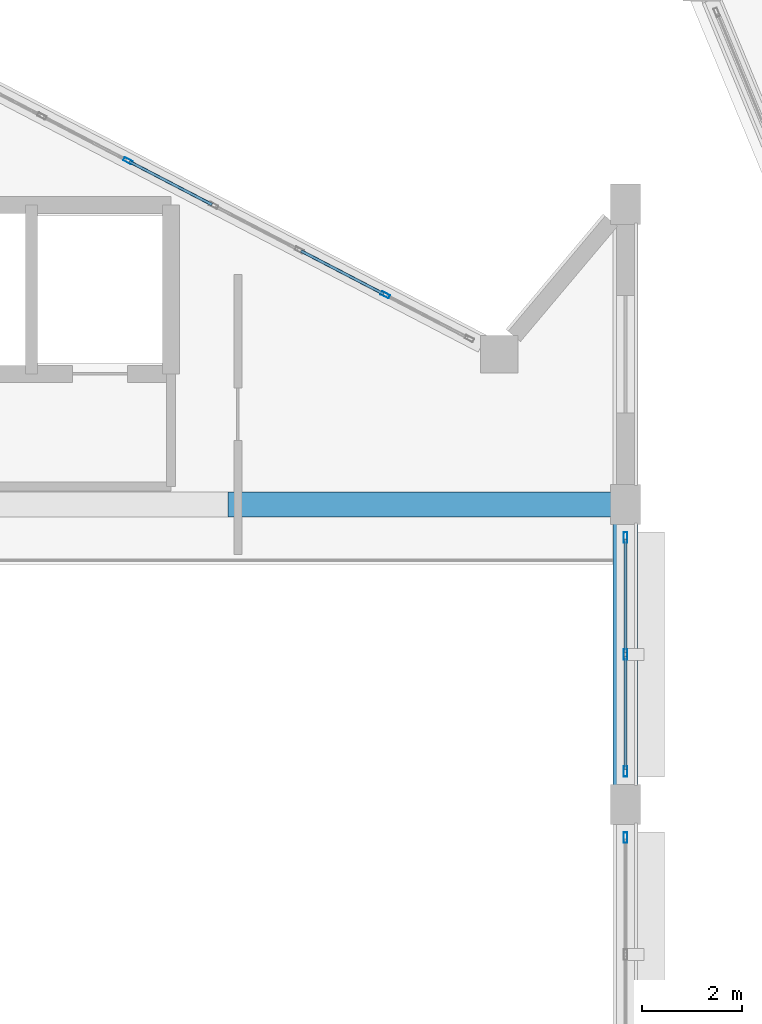
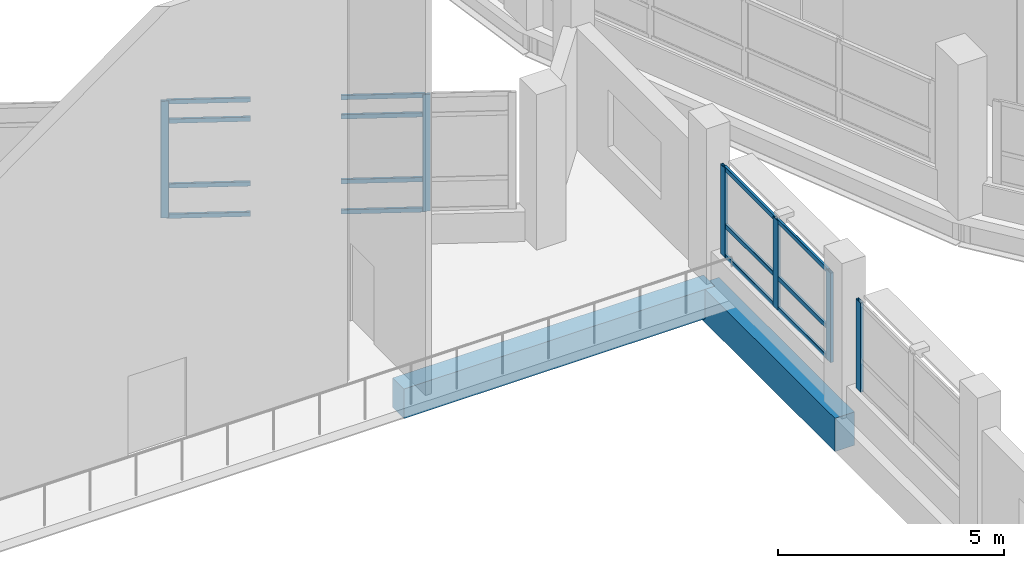
# One storey, part 26 of 128: 20 members, 2 beams, 3 elements without a shape of their own.
"""IFC4 building model written with IfcOpenShell, lengths in metres."""

from ifc_helpers import new_model, si_unit, direction, frame, origin, origin_2d, place, context, subcontext, project, spatial, rectangle, hollow_rectangle, extrude, material, layer, layer_set, material_profile, profile_set, type_object, element, aggregate, save


model = new_model("IFC4")

# Units and contexts
model_context = context("Model", 3, precision=1e-05, world=origin(), true_north=direction((0.0, 1.0)))
body_context = subcontext(model_context, "Body", "Model", "MODEL_VIEW")
ifc_project = project(units=[si_unit("LENGTHUNIT", "METRE"), si_unit("AREAUNIT", "SQUARE_METRE"), si_unit("VOLUMEUNIT", "CUBIC_METRE"), si_unit("PLANEANGLEUNIT", "RADIAN"), si_unit("MASSUNIT", "GRAM", prefix="KILO")], contexts=[model_context])

# Site, building, storey
site_placement = place(None, origin())
site = spatial("IfcSite", under=ifc_project, at=site_placement, CompositionType="ELEMENT")
building_placement = place(site_placement, origin())
building = spatial("IfcBuilding", under=site, at=building_placement, Name="Vespera Passage Community Centre", CompositionType="ELEMENT")
storey_placement = place(building_placement, frame((0.0, 0.0, 4.5)))
storey = spatial("IfcBuildingStorey", under=building, at=storey_placement, Name="L01", CompositionType="ELEMENT", Elevation=4.5)

# Beams
ifc_material_1 = material(Name="Concrete f'c 35 MPa", Category="concrete")
ifc_material_profile_1 = material_profile(ifc_material_1, rectangle(XDim=0.5, YDim=0.800048828125, at=origin_2d()), Name="RC500X800")
ifc_profile_set_1 = profile_set([ifc_material_profile_1], Name="Concrete f'c 35 MPa")
beam_type_1 = type_object("IfcBeamType", Name="BM-G-500X800", PredefinedType="BEAM", material=ifc_profile_set_1)
beam_1_placement = place(storey_placement, frame((24.0, 43.0, -0.639892578125), z_axis=(1.0, 0.0, 0.0), x_axis=(0.0, 1.0, 0.0)))
element("IfcBeam", 1, at=beam_1_placement, inside=storey, type_object=beam_type_1, Name="V1 L01 N Gallery Girder 3", PredefinedType="BEAM", context=body_context, shape_type="SweptSolid", body=[
    extrude(rectangle(XDim=0.5, YDim=0.800048828125, at=origin_2d()), origin(), (0.0, 0.0, 1.0), 7.949951171875),
])
ifc_material_2 = material(Name="Concrete f'c 45 MPa", Category="concrete")
ifc_material_profile_2 = material_profile(ifc_material_2, rectangle(XDim=0.5, YDim=0.89990234375, at=origin_2d()), Name="RC500X900")
ifc_profile_set_2 = profile_set([ifc_material_profile_2], Name="Concrete f'c 45 MPa")
beam_type_2 = type_object("IfcBeamType", Name="BM-SP-500X900E", PredefinedType="SPANDREL", material=ifc_profile_set_2)
beam_2_placement = place(storey_placement, frame((31.949951171875, 37.0, -0.68994140625), z_axis=(0.0, 1.0, 0.0), x_axis=(-1.0, 0.0, 0.0)))
element("IfcBeam", 2, at=beam_2_placement, inside=storey, type_object=beam_type_2, Name="V1 L01 Spandrel E6", PredefinedType="SPANDREL", context=body_context, shape_type="SweptSolid", body=[
    extrude(rectangle(XDim=0.5, YDim=0.89990234375, at=origin_2d()), origin(), (0.0, 0.0, 1.0), 6.0),
])

# Curtain wall, members
ifc_material_3 = material(Name="Anodized aluminium 6063-T6", Category="aluminium")
ifc_layer_1 = layer(ifc_material_3, 0.159912109375)
ifc_layer_set_1 = layer_set([ifc_layer_1], Name="Anodized aluminium 6063-T6")
curtain_wall_type_1 = type_object("IfcCurtainWallType", Name="CW-85E", PredefinedType="NOTDEFINED", material=ifc_layer_set_1)
curtain_wall_1_placement = place(storey_placement, origin())
curtain_wall_1 = element("IfcCurtainWall", 3, at=curtain_wall_1_placement, inside=storey, type_object=curtain_wall_type_1, Name="V1 L01 N Apse Ribbon Curtain Wall 3", PredefinedType="NOTDEFINED")
ifc_material_4 = material(Name="Anodized aluminium 6063-T6", Category="aluminium")
ifc_material_profile_3 = material_profile(ifc_material_4, hollow_rectangle(XDim=0.074951171875, YDim=0.179931640625, WallThickness=0.0048828125, InnerFilletRadius=0.00244140625, OuterFilletRadius=0.0048828125, at=origin_2d()), Name="ALU180X75X5")
ifc_profile_set_3 = profile_set([ifc_material_profile_3], Name="Anodized aluminium 6063-T6")
member_type_1 = type_object("IfcMemberType", Name="MB-CWM-180E", PredefinedType="MULLION", material=ifc_profile_set_3)
member_1_placement = place(storey_placement, frame((21.99755859375, 49.868896484375, 0.800048828125), z_axis=(0.0, 0.0, 1.0), x_axis=(0.46174493668, 0.887012747062, 0.0)))
member_1 = element("IfcMember", 4, at=member_1_placement, type_object=member_type_1, Name="CW-85E mullion 3", PredefinedType="MULLION", context=body_context, shape_type="SweptSolid", body=[
    extrude(hollow_rectangle(XDim=0.074951171875, YDim=0.179931640625, WallThickness=0.0048828125, InnerFilletRadius=0.00244140625, OuterFilletRadius=0.0048828125, at=origin_2d()), origin(), (0.0, 0.0, 1.0), 3.14990234375),
])
member_2_placement = place(storey_placement, frame((27.1455078125, 47.189208984375, 0.800048828125), z_axis=(0.0, 0.0, 1.0), x_axis=(0.46174493668, 0.887012747062, 0.0)))
member_2 = element("IfcMember", 5, at=member_2_placement, type_object=member_type_1, Name="CW-85E mullion 6", PredefinedType="MULLION", context=body_context, shape_type="SweptSolid", body=[
    extrude(hollow_rectangle(XDim=0.074951171875, YDim=0.179931640625, WallThickness=0.0048828125, InnerFilletRadius=0.00244140625, OuterFilletRadius=0.0048828125, at=origin_2d()), origin(), (0.0, 0.0, 1.0), 3.14990234375),
])

# Curtain wall, member
ifc_material_5 = material(Name="Anodized aluminium 6063-T6", Category="aluminium")
ifc_layer_2 = layer(ifc_material_5, 0.159912109375)
ifc_layer_set_2 = layer_set([ifc_layer_2], Name="Anodized aluminium 6063-T6")
curtain_wall_type_2 = type_object("IfcCurtainWallType", Name="CW-84E", PredefinedType="NOTDEFINED", material=ifc_layer_set_2)
curtain_wall_2_placement = place(storey_placement, origin())
curtain_wall_2 = element("IfcCurtainWall", 6, at=curtain_wall_2_placement, inside=storey, type_object=curtain_wall_type_2, Name="Main Hall Acoustic Curtain Wall L01 E5", PredefinedType="NOTDEFINED")
ifc_material_6 = material(Name="Anodized aluminium 6063-T6", Category="aluminium")
ifc_material_profile_4 = material_profile(ifc_material_6, hollow_rectangle(XDim=0.074951171875, YDim=0.2099609375, WallThickness=0.0048828125, InnerFilletRadius=0.00244140625, OuterFilletRadius=0.0048828125, at=origin_2d()), Name="ALU210X75X5")
ifc_profile_set_4 = profile_set([ifc_material_profile_4], Name="Anodized aluminium 6063-T6")
member_type_2 = type_object("IfcMemberType", Name="MB-CWM-210E", PredefinedType="MULLION", material=ifc_profile_set_4)
member_3_placement = place(storey_placement, frame((31.949951171875, 36.33740234375, 0.85009765625), z_axis=(0.0, 0.0, 1.0), x_axis=(1.0, 0.0, 0.0)))
member_3 = element("IfcMember", 7, at=member_3_placement, type_object=member_type_2, Name="CW-84E mullion 1", PredefinedType="MULLION", context=body_context, shape_type="SweptSolid", body=[
    extrude(hollow_rectangle(XDim=0.074951171875, YDim=0.2099609375, WallThickness=0.0048828125, InnerFilletRadius=0.00244140625, OuterFilletRadius=0.0048828125, at=origin_2d()), origin(), (0.0, 0.0, 1.0), 2.414794921875),
])
aggregate(curtain_wall_2, [member_3])

# Curtain wall, members
curtain_wall_3_placement = place(storey_placement, origin())
curtain_wall_3 = element("IfcCurtainWall", 8, at=curtain_wall_3_placement, inside=storey, type_object=curtain_wall_type_2, Name="Main Hall Acoustic Curtain Wall L01 E6", PredefinedType="NOTDEFINED")
member_4_placement = place(storey_placement, frame((31.949951171875, 42.33740234375, 0.85009765625), z_axis=(0.0, 0.0, 1.0), x_axis=(1.0, 0.0, 0.0)))
member_4 = element("IfcMember", 9, at=member_4_placement, type_object=member_type_2, Name="CW-84E mullion 1", PredefinedType="MULLION", context=body_context, shape_type="SweptSolid", body=[
    extrude(hollow_rectangle(XDim=0.074951171875, YDim=0.2099609375, WallThickness=0.0048828125, InnerFilletRadius=0.00244140625, OuterFilletRadius=0.0048828125, at=origin_2d()), origin(), (0.0, 0.0, 1.0), 2.414794921875),
])
member_5_placement = place(storey_placement, frame((31.949951171875, 40.0, 0.85009765625), z_axis=(0.0, 0.0, 1.0), x_axis=(1.0, 0.0, 0.0)))
member_5 = element("IfcMember", 10, at=member_5_placement, type_object=member_type_2, Name="CW-84E mullion 2", PredefinedType="MULLION", context=body_context, shape_type="SweptSolid", body=[
    extrude(hollow_rectangle(XDim=0.074951171875, YDim=0.2099609375, WallThickness=0.0048828125, InnerFilletRadius=0.00244140625, OuterFilletRadius=0.0048828125, at=origin_2d()), origin(), (0.0, 0.0, 1.0), 2.414794921875),
])
member_6_placement = place(storey_placement, frame((31.949951171875, 37.66259765625, 0.85009765625), z_axis=(0.0, 0.0, 1.0), x_axis=(1.0, 0.0, 0.0)))
member_6 = element("IfcMember", 11, at=member_6_placement, type_object=member_type_2, Name="CW-84E mullion 3", PredefinedType="MULLION", context=body_context, shape_type="SweptSolid", body=[
    extrude(hollow_rectangle(XDim=0.074951171875, YDim=0.2099609375, WallThickness=0.0048828125, InnerFilletRadius=0.00244140625, OuterFilletRadius=0.0048828125, at=origin_2d()), origin(), (0.0, 0.0, 1.0), 2.414794921875),
])
ifc_material_7 = material(Name="Anodized aluminium 6063-T6", Category="aluminium")
ifc_material_profile_5 = material_profile(ifc_material_7, hollow_rectangle(XDim=0.06005859375, YDim=0.1201171875, WallThickness=0.00390625, InnerFilletRadius=0.001953125, OuterFilletRadius=0.00390625, at=origin_2d()), Name="ALU120X60X4")
ifc_profile_set_5 = profile_set([ifc_material_profile_5], Name="Anodized aluminium 6063-T6")
member_type_3 = type_object("IfcMemberType", Name="MB-CWT-120E", PredefinedType="USERDEFINED", material=ifc_profile_set_5)
member_7_placement = place(storey_placement, frame((31.949951171875, 42.300048828125, 0.8798828125), z_axis=(0.0, -1.0, 0.0), x_axis=(1.0, 0.0, 0.0)))
member_7 = element("IfcMember", 12, at=member_7_placement, type_object=member_type_3, Name="CW-84E transom 1.1", ObjectType="TRANSOM", PredefinedType="USERDEFINED", context=body_context, shape_type="SweptSolid", body=[
    extrude(hollow_rectangle(XDim=0.06005859375, YDim=0.1201171875, WallThickness=0.00390625, InnerFilletRadius=0.001953125, OuterFilletRadius=0.00390625, at=origin_2d()), origin(), (0.0, 0.0, 1.0), 2.262451171875),
])
member_8_placement = place(storey_placement, frame((31.949951171875, 42.300048828125, 1.699951171875), z_axis=(0.0, -1.0, 0.0), x_axis=(1.0, 0.0, 0.0)))
member_8 = element("IfcMember", 13, at=member_8_placement, type_object=member_type_3, Name="CW-84E transom 1.2", ObjectType="TRANSOM", PredefinedType="USERDEFINED", context=body_context, shape_type="SweptSolid", body=[
    extrude(hollow_rectangle(XDim=0.06005859375, YDim=0.1201171875, WallThickness=0.00390625, InnerFilletRadius=0.001953125, OuterFilletRadius=0.00390625, at=origin_2d()), origin(), (0.0, 0.0, 1.0), 2.262451171875),
])
member_9_placement = place(storey_placement, frame((31.949951171875, 42.300048828125, 3.235107421875), z_axis=(0.0, -1.0, 0.0), x_axis=(1.0, 0.0, 0.0)))
member_9 = element("IfcMember", 14, at=member_9_placement, type_object=member_type_3, Name="CW-84E transom 1.3", ObjectType="TRANSOM", PredefinedType="USERDEFINED", context=body_context, shape_type="SweptSolid", body=[
    extrude(hollow_rectangle(XDim=0.06005859375, YDim=0.1201171875, WallThickness=0.00390625, InnerFilletRadius=0.001953125, OuterFilletRadius=0.00390625, at=origin_2d()), origin(), (0.0, 0.0, 1.0), 2.262451171875),
])
member_10_placement = place(storey_placement, frame((31.949951171875, 39.96240234375, 0.8798828125), z_axis=(0.0, -1.0, 0.0), x_axis=(1.0, 0.0, 0.0)))
member_10 = element("IfcMember", 15, at=member_10_placement, type_object=member_type_3, Name="CW-84E transom 2.1", ObjectType="TRANSOM", PredefinedType="USERDEFINED", context=body_context, shape_type="SweptSolid", body=[
    extrude(hollow_rectangle(XDim=0.06005859375, YDim=0.1201171875, WallThickness=0.00390625, InnerFilletRadius=0.001953125, OuterFilletRadius=0.00390625, at=origin_2d()), origin(), (0.0, 0.0, 1.0), 2.262451171875),
])
member_11_placement = place(storey_placement, frame((31.949951171875, 39.96240234375, 1.699951171875), z_axis=(0.0, -1.0, 0.0), x_axis=(1.0, 0.0, 0.0)))
member_11 = element("IfcMember", 16, at=member_11_placement, type_object=member_type_3, Name="CW-84E transom 2.2", ObjectType="TRANSOM", PredefinedType="USERDEFINED", context=body_context, shape_type="SweptSolid", body=[
    extrude(hollow_rectangle(XDim=0.06005859375, YDim=0.1201171875, WallThickness=0.00390625, InnerFilletRadius=0.001953125, OuterFilletRadius=0.00390625, at=origin_2d()), origin(), (0.0, 0.0, 1.0), 2.262451171875),
])
member_12_placement = place(storey_placement, frame((31.949951171875, 39.96240234375, 3.235107421875), z_axis=(0.0, -1.0, 0.0), x_axis=(1.0, 0.0, 0.0)))
member_12 = element("IfcMember", 17, at=member_12_placement, type_object=member_type_3, Name="CW-84E transom 2.3", ObjectType="TRANSOM", PredefinedType="USERDEFINED", context=body_context, shape_type="SweptSolid", body=[
    extrude(hollow_rectangle(XDim=0.06005859375, YDim=0.1201171875, WallThickness=0.00390625, InnerFilletRadius=0.001953125, OuterFilletRadius=0.00390625, at=origin_2d()), origin(), (0.0, 0.0, 1.0), 2.262451171875),
])
aggregate(curtain_wall_3, [member_4, member_5, member_6, member_7, member_8, member_9, member_10, member_11, member_12])

# Member
member_13_placement = place(storey_placement, frame((22.031005859375, 49.8515625, 0.830078125), z_axis=(0.887008197889, -0.461753675544, 0.0), x_axis=(0.461753675544, 0.887008197889, 0.0)))
member_13 = element("IfcMember", 18, at=member_13_placement, type_object=member_type_3, Name="CW-85E transom 3.1", ObjectType="TRANSOM", PredefinedType="USERDEFINED", context=body_context, shape_type="SweptSolid", body=[
    extrude(hollow_rectangle(XDim=0.06005859375, YDim=0.1201171875, WallThickness=0.00390625, InnerFilletRadius=0.001953125, OuterFilletRadius=0.00390625, at=origin_2d()), origin(), (0.0, 0.0, 1.0), 1.859619140625),
])

member_14_placement = place(storey_placement, frame((22.031005859375, 49.8515625, 1.64990234375), z_axis=(0.887008197889, -0.461753675544, 0.0), x_axis=(0.461753675544, 0.887008197889, 0.0)))
member_14 = element("IfcMember", 19, at=member_14_placement, type_object=member_type_3, Name="CW-85E transom 3.2", ObjectType="TRANSOM", PredefinedType="USERDEFINED", context=body_context, shape_type="SweptSolid", body=[
    extrude(hollow_rectangle(XDim=0.06005859375, YDim=0.1201171875, WallThickness=0.00390625, InnerFilletRadius=0.001953125, OuterFilletRadius=0.00390625, at=origin_2d()), origin(), (0.0, 0.0, 1.0), 1.859619140625),
])

member_15_placement = place(storey_placement, frame((22.031005859375, 49.8515625, 3.39990234375), z_axis=(0.887008197889, -0.461753675544, 0.0), x_axis=(0.461753675544, 0.887008197889, 0.0)))
member_15 = element("IfcMember", 20, at=member_15_placement, type_object=member_type_3, Name="CW-85E transom 3.3", ObjectType="TRANSOM", PredefinedType="USERDEFINED", context=body_context, shape_type="SweptSolid", body=[
    extrude(hollow_rectangle(XDim=0.06005859375, YDim=0.1201171875, WallThickness=0.00390625, InnerFilletRadius=0.001953125, OuterFilletRadius=0.00390625, at=origin_2d()), origin(), (0.0, 0.0, 1.0), 1.859619140625),
])

member_16_placement = place(storey_placement, frame((22.031005859375, 49.8515625, 3.919921875), z_axis=(0.887008197889, -0.461753675544, 0.0), x_axis=(0.461753675544, 0.887008197889, 0.0)))
member_16 = element("IfcMember", 21, at=member_16_placement, type_object=member_type_3, Name="CW-85E transom 3.4", ObjectType="TRANSOM", PredefinedType="USERDEFINED", context=body_context, shape_type="SweptSolid", body=[
    extrude(hollow_rectangle(XDim=0.06005859375, YDim=0.1201171875, WallThickness=0.00390625, InnerFilletRadius=0.001953125, OuterFilletRadius=0.00390625, at=origin_2d()), origin(), (0.0, 0.0, 1.0), 1.859619140625),
])

member_17_placement = place(storey_placement, frame((25.462890625, 48.065185546875, 0.830078125), z_axis=(0.887008197889, -0.461753675544, 0.0), x_axis=(0.461753675544, 0.887008197889, 0.0)))
member_17 = element("IfcMember", 22, at=member_17_placement, type_object=member_type_3, Name="CW-85E transom 5.1", ObjectType="TRANSOM", PredefinedType="USERDEFINED", context=body_context, shape_type="SweptSolid", body=[
    extrude(hollow_rectangle(XDim=0.06005859375, YDim=0.1201171875, WallThickness=0.00390625, InnerFilletRadius=0.001953125, OuterFilletRadius=0.00390625, at=origin_2d()), origin(), (0.0, 0.0, 1.0), 1.859619140625),
])

member_18_placement = place(storey_placement, frame((25.462890625, 48.065185546875, 1.64990234375), z_axis=(0.887008197889, -0.461753675544, 0.0), x_axis=(0.461753675544, 0.887008197889, 0.0)))
member_18 = element("IfcMember", 23, at=member_18_placement, type_object=member_type_3, Name="CW-85E transom 5.2", ObjectType="TRANSOM", PredefinedType="USERDEFINED", context=body_context, shape_type="SweptSolid", body=[
    extrude(hollow_rectangle(XDim=0.06005859375, YDim=0.1201171875, WallThickness=0.00390625, InnerFilletRadius=0.001953125, OuterFilletRadius=0.00390625, at=origin_2d()), origin(), (0.0, 0.0, 1.0), 1.859619140625),
])

member_19_placement = place(storey_placement, frame((25.462890625, 48.065185546875, 3.39990234375), z_axis=(0.887008197889, -0.461753675544, 0.0), x_axis=(0.461753675544, 0.887008197889, 0.0)))
member_19 = element("IfcMember", 24, at=member_19_placement, type_object=member_type_3, Name="CW-85E transom 5.3", ObjectType="TRANSOM", PredefinedType="USERDEFINED", context=body_context, shape_type="SweptSolid", body=[
    extrude(hollow_rectangle(XDim=0.06005859375, YDim=0.1201171875, WallThickness=0.00390625, InnerFilletRadius=0.001953125, OuterFilletRadius=0.00390625, at=origin_2d()), origin(), (0.0, 0.0, 1.0), 1.859619140625),
])

member_20_placement = place(storey_placement, frame((25.462890625, 48.065185546875, 3.919921875), z_axis=(0.887008197889, -0.461753675544, 0.0), x_axis=(0.461753675544, 0.887008197889, 0.0)))
member_20 = element("IfcMember", 25, at=member_20_placement, type_object=member_type_3, Name="CW-85E transom 5.4", ObjectType="TRANSOM", PredefinedType="USERDEFINED", context=body_context, shape_type="SweptSolid", body=[
    extrude(hollow_rectangle(XDim=0.06005859375, YDim=0.1201171875, WallThickness=0.00390625, InnerFilletRadius=0.001953125, OuterFilletRadius=0.00390625, at=origin_2d()), origin(), (0.0, 0.0, 1.0), 1.859619140625),
])

aggregate(curtain_wall_1, [member_1, member_2, member_13, member_14, member_15, member_16, member_17, member_18, member_19, member_20])

save(model, "model.ifc")
